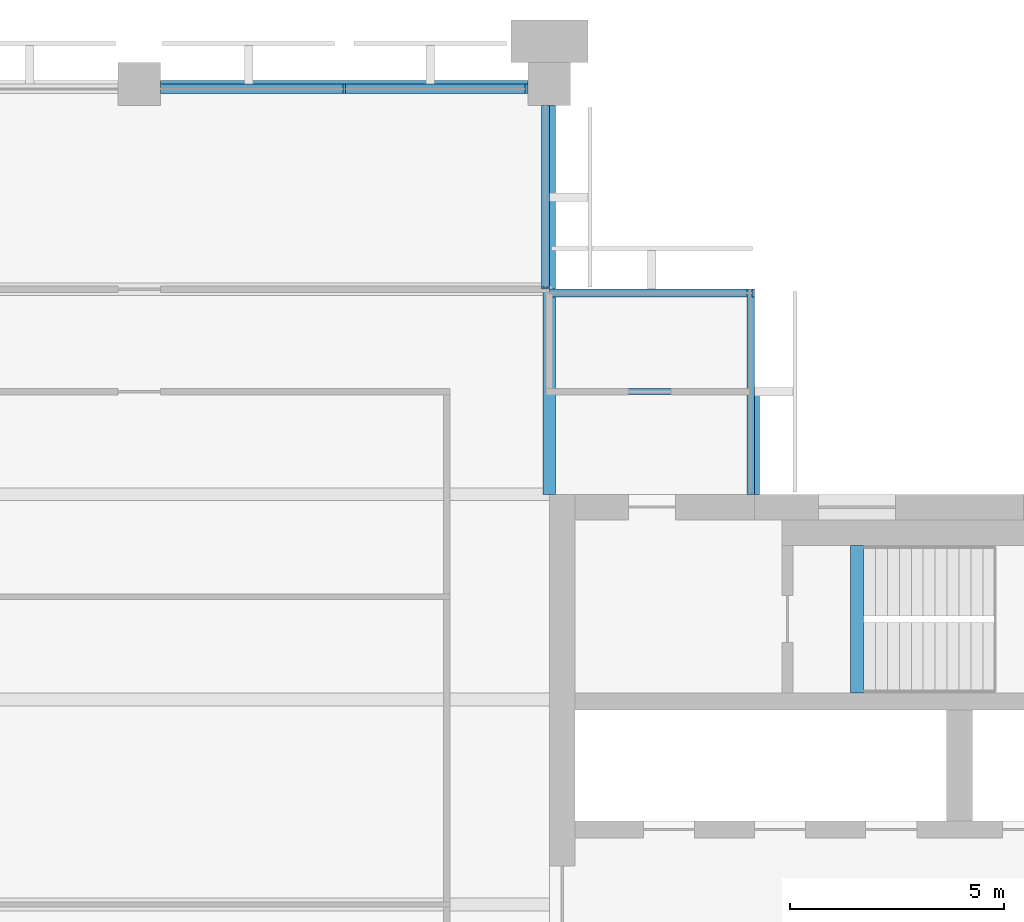
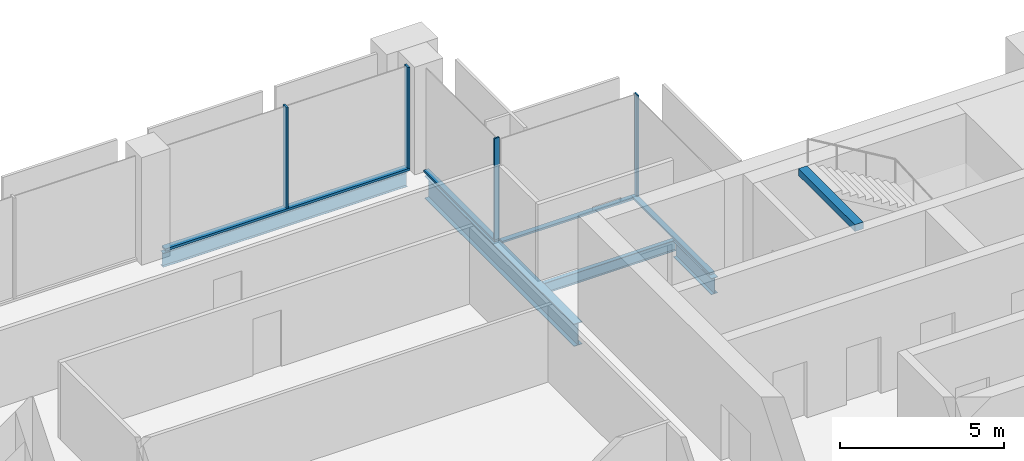
# One storey, part 6 of 12: 8 members, 5 beams, 4 elements without a shape of their own.
"""IFC4 building model written with IfcOpenShell, lengths in metres."""

from ifc_helpers import new_model, si_unit, direction, frame, origin, origin_2d, place, context, subcontext, project, spatial, rectangle, i_section, extrude, material, material_profile, profile_set, type_object, element, aggregate, save


model = new_model("IFC4")

# Units and contexts
model_context = context("Model", 3, precision=1e-05, world=origin(), true_north=direction((0.0, 1.0)))
body_context = subcontext(model_context, "Body", "Model", "MODEL_VIEW")
ifc_project = project(units=[si_unit("LENGTHUNIT", "METRE"), si_unit("AREAUNIT", "SQUARE_METRE"), si_unit("VOLUMEUNIT", "CUBIC_METRE"), si_unit("PLANEANGLEUNIT", "RADIAN"), si_unit("MASSUNIT", "GRAM", prefix="KILO")], contexts=[model_context])

# Site, building, storey
site_placement = place(None, origin())
site = spatial("IfcSite", under=ifc_project, at=site_placement, CompositionType="ELEMENT")
building_placement = place(site_placement, origin())
building = spatial("IfcBuilding", under=site, at=building_placement, Name="Baori Bourse Tower", CompositionType="ELEMENT")
storey_placement = place(building_placement, frame((0.0, 0.0, 322.300048828125)))
storey = spatial("IfcBuildingStorey", under=building, at=storey_placement, Name="L71", CompositionType="ELEMENT", Elevation=322.300048828125)

# Curtain wall, member
ifc_material_1 = material(Name="Pale anodised aluminium", Category="aluminium")
curtain_wall_type_1 = type_object("IfcCurtainWallType", Name="CW2 Curtain wall", PredefinedType="NOTDEFINED", material=ifc_material_1)
curtain_wall_1_placement = place(storey_placement, origin())
curtain_wall_1 = element("IfcCurtainWall", 1, at=curtain_wall_1_placement, inside=storey, type_object=curtain_wall_type_1, Name="Curtain wall CW2 L71 2", PredefinedType="NOTDEFINED")
ifc_material_2 = material(Name="Pale anodised aluminium", Category="aluminium")
ifc_material_profile_1 = material_profile(ifc_material_2, rectangle(XDim=0.179931640625, YDim=0.054931640625, at=origin_2d()), Name="Mullion 55x180")
ifc_profile_set_1 = profile_set([ifc_material_profile_1], Name="Pale anodised aluminium")
member_type_1 = type_object("IfcMemberType", Name="CW2 Curtain wall mullion", PredefinedType="MULLION", material=ifc_profile_set_1)
member_1_placement = place(storey_placement, frame((43.172607421875, 43.110107421875, 0.070068359375), z_axis=(0.0, 0.0, 1.0), x_axis=(0.0, -1.0, 0.0)))
member_1 = element("IfcMember", 2, at=member_1_placement, type_object=member_type_1, Name="Curtain wall CW2 mullion", PredefinedType="MULLION", context=body_context, shape_type="SweptSolid", body=[
    extrude(rectangle(XDim=0.179931640625, YDim=0.054931640625, at=origin_2d()), origin(), (0.0, 0.0, 1.0), 3.769775390625),
])

curtain_wall_2_placement = place(storey_placement, origin())
curtain_wall_2 = element("IfcCurtainWall", 3, at=curtain_wall_2_placement, inside=storey, type_object=curtain_wall_type_1, Name="Curtain wall CW2 L71 3", PredefinedType="NOTDEFINED")
member_2_placement = place(storey_placement, frame((38.31005859375, 43.2275390625, 0.070068359375), z_axis=(0.0, 0.0, 1.0), x_axis=(-1.0, 0.0, 0.0)))
member_2 = element("IfcMember", 4, at=member_2_placement, type_object=member_type_1, Name="Curtain wall CW2 mullion", PredefinedType="MULLION", context=body_context, shape_type="SweptSolid", body=[
    extrude(rectangle(XDim=0.179931640625, YDim=0.054931640625, at=origin_2d()), origin(), (0.0, 0.0, 1.0), 3.769775390625),
])

curtain_wall_3_placement = place(storey_placement, origin())
curtain_wall_3 = element("IfcCurtainWall", 5, at=curtain_wall_3_placement, inside=storey, type_object=curtain_wall_type_1, Name="Curtain wall CW2 L71 1", PredefinedType="NOTDEFINED")
ifc_material_3 = material(Name="Pale anodised aluminium", Category="aluminium")
ifc_material_profile_2 = material_profile(ifc_material_3, rectangle(XDim=0.179931640625, YDim=0.070068359375, at=origin_2d()), Name="Transom 70x180")
ifc_profile_set_2 = profile_set([ifc_material_profile_2], Name="Pale anodised aluminium")
member_type_2 = type_object("IfcMemberType", Name="CW2 Curtain wall transom", PredefinedType="USERDEFINED", material=ifc_profile_set_2)
member_3_placement = place(storey_placement, frame((43.110107421875, 38.39990234375, 0.034912109375), z_axis=(0.0, 1.0, 0.0), x_axis=(-1.0, 0.0, 0.0)))
member_3 = element("IfcMember", 6, at=member_3_placement, type_object=member_type_2, Name="Curtain wall CW2 sill rail", ObjectType="TRANSOM", PredefinedType="USERDEFINED", context=body_context, shape_type="SweptSolid", body=[
    extrude(rectangle(XDim=0.179931640625, YDim=0.070068359375, at=origin_2d()), origin(), (0.0, 0.0, 1.0), 4.800048828125),
])
aggregate(curtain_wall_3, [member_3])

# Member
member_4_placement = place(storey_placement, frame((43.199951171875, 43.110107421875, 0.034912109375), z_axis=(-1.0, 0.0, 0.0), x_axis=(0.0, -1.0, 0.0)))
member_4 = element("IfcMember", 7, at=member_4_placement, type_object=member_type_2, Name="Curtain wall CW2 sill rail", ObjectType="TRANSOM", PredefinedType="USERDEFINED", context=body_context, shape_type="SweptSolid", body=[
    extrude(rectangle(XDim=0.179931640625, YDim=0.070068359375, at=origin_2d()), origin(), (0.0, 0.0, 1.0), 4.800048828125),
])

aggregate(curtain_wall_1, [member_4, member_1])

member_5_placement = place(storey_placement, frame((38.31005859375, 43.199951171875, 0.034912109375), z_axis=(0.0, 1.0, 0.0), x_axis=(-1.0, 0.0, 0.0)))
member_5 = element("IfcMember", 8, at=member_5_placement, type_object=member_type_2, Name="Curtain wall CW2 sill rail", ObjectType="TRANSOM", PredefinedType="USERDEFINED", context=body_context, shape_type="SweptSolid", body=[
    extrude(rectangle(XDim=0.179931640625, YDim=0.070068359375, at=origin_2d()), origin(), (0.0, 0.0, 1.0), 4.300048828125),
])

aggregate(curtain_wall_2, [member_5, member_2])

# Curtain wall, members
ifc_material_4 = material(Name="Pale anodised aluminium", Category="aluminium")
curtain_wall_type_2 = type_object("IfcCurtainWallType", Name="CW5 Curtain wall", PredefinedType="NOTDEFINED", material=ifc_material_4)
curtain_wall_4_placement = place(storey_placement, origin())
curtain_wall_4 = element("IfcCurtainWall", 9, at=curtain_wall_4_placement, inside=storey, type_object=curtain_wall_type_2, Name="Curtain wall CW5 L71 4", PredefinedType="NOTDEFINED")
ifc_material_5 = material(Name="Pale anodised aluminium", Category="aluminium")
ifc_material_profile_3 = material_profile(ifc_material_5, rectangle(XDim=0.219970703125, YDim=0.06494140625, at=origin_2d()), Name="Mullion 65x220")
ifc_profile_set_3 = profile_set([ifc_material_profile_3], Name="Pale anodised aluminium")
member_type_3 = type_object("IfcMemberType", Name="CW5 Curtain wall mullion", PredefinedType="MULLION", material=ifc_profile_set_3)
member_6_placement = place(storey_placement, frame((37.867431640625, 47.889892578125, 0.0849609375), z_axis=(0.0, 0.0, 1.0), x_axis=(0.0, -1.0, 0.0)))
member_6 = element("IfcMember", 10, at=member_6_placement, type_object=member_type_3, Name="Curtain wall CW5 mullion", PredefinedType="MULLION", context=body_context, shape_type="SweptSolid", body=[
    extrude(rectangle(XDim=0.219970703125, YDim=0.06494140625, at=origin_2d()), origin(), (0.0, 0.0, 1.0), 3.7548828125),
])
member_7_placement = place(storey_placement, frame((33.60009765625, 47.889892578125, 0.0849609375), z_axis=(0.0, 0.0, 1.0), x_axis=(0.0, -1.0, 0.0)))
member_7 = element("IfcMember", 11, at=member_7_placement, type_object=member_type_3, Name="Curtain wall CW5 mullion", PredefinedType="MULLION", context=body_context, shape_type="SweptSolid", body=[
    extrude(rectangle(XDim=0.219970703125, YDim=0.06494140625, at=origin_2d()), origin(), (0.0, 0.0, 1.0), 3.7548828125),
])
ifc_material_6 = material(Name="Pale anodised aluminium", Category="aluminium")
ifc_material_profile_4 = material_profile(ifc_material_6, rectangle(XDim=0.219970703125, YDim=0.0849609375, at=origin_2d()), Name="Transom 85x220")
ifc_profile_set_4 = profile_set([ifc_material_profile_4], Name="Pale anodised aluminium")
member_type_4 = type_object("IfcMemberType", Name="CW5 Curtain wall transom", PredefinedType="USERDEFINED", material=ifc_profile_set_4)
member_8_placement = place(storey_placement, frame((37.89990234375, 47.889892578125, 0.04248046875), z_axis=(-1.0, 0.0, 0.0), x_axis=(0.0, -1.0, 0.0)))
member_8 = element("IfcMember", 12, at=member_8_placement, type_object=member_type_4, Name="Curtain wall CW5 sill rail", ObjectType="TRANSOM", PredefinedType="USERDEFINED", context=body_context, shape_type="SweptSolid", body=[
    extrude(rectangle(XDim=0.219970703125, YDim=0.0849609375, at=origin_2d()), origin(), (0.0, 0.0, 1.0), 8.599853515625),
])
aggregate(curtain_wall_4, [member_8, member_6, member_7])

# Beams
ifc_material_7 = material(Name="Steel A992 Gr 50", Category="steel")
ifc_material_profile_5 = material_profile(ifc_material_7, i_section(OverallWidth=0.227783203125, OverallDepth=0.60205078125, WebThickness=0.010498046875, FlangeThickness=0.014892578125, at=origin_2d()), Name="W24x68")
ifc_profile_set_5 = profile_set([ifc_material_profile_5], Name="Steel A992 Gr 50")
beam_type_1 = type_object("IfcBeamType", Name="Core bracket W24x68", PredefinedType="BEAM", material=ifc_profile_set_5)
beam_1_placement = place(storey_placement, frame((43.199951171875, 38.39990234375, -0.4609375), z_axis=(0.0, 1.0, 0.0), x_axis=(-1.0, 0.0, 0.0)))
element("IfcBeam", 13, at=beam_1_placement, inside=storey, type_object=beam_type_1, Name="Core bracket L71", PredefinedType="BEAM", context=body_context, shape_type="SweptSolid", body=[
    extrude(i_section(OverallWidth=0.227783203125, OverallDepth=0.60205078125, WebThickness=0.010498046875, FlangeThickness=0.014892578125, at=origin_2d()), origin(), (0.0, 0.0, 1.0), 2.329833984375),
])
ifc_material_8 = material(Name="Steel A992 Gr 50", Category="steel")
ifc_material_profile_6 = material_profile(ifc_material_8, i_section(OverallWidth=0.1650390625, OverallDepth=0.52587890625, WebThickness=0.0087890625, FlangeThickness=0.011474609375, at=origin_2d()), Name="W21x44")
ifc_profile_set_6 = profile_set([ifc_material_profile_6], Name="Steel A992 Gr 50")
beam_type_2 = type_object("IfcBeamType", Name="Edge beam W21x44", PredefinedType="BEAM", material=ifc_profile_set_6)
beam_2_placement = place(storey_placement, frame((29.300048828125, 48.0, -0.4228515625), z_axis=(1.0, 0.0, 0.0), x_axis=(0.0, 1.0, 0.0)))
element("IfcBeam", 14, at=beam_2_placement, inside=storey, type_object=beam_type_2, Name="Edge beam L71", PredefinedType="BEAM", context=body_context, shape_type="SweptSolid", body=[
    extrude(i_section(OverallWidth=0.1650390625, OverallDepth=0.52587890625, WebThickness=0.0087890625, FlangeThickness=0.011474609375, at=origin_2d()), origin(), (0.0, 0.0, 1.0), 8.599853515625),
])
ifc_material_9 = material(Name="Steel A992 Gr 50", Category="steel")
ifc_material_profile_7 = material_profile(ifc_material_9, i_section(OverallWidth=0.2919921875, OverallDepth=0.835693359375, WebThickness=0.013916015625, FlangeThickness=0.018798828125, at=origin_2d()), Name="W33x118")
ifc_profile_set_7 = profile_set([ifc_material_profile_7], Name="Steel A992 Gr 50")
beam_type_3 = type_object("IfcBeamType", Name="Girder W33x118", PredefinedType="BEAM", material=ifc_profile_set_7)
beam_3_placement = place(storey_placement, frame((38.39990234375, 38.39990234375, -0.577880859375), z_axis=(0.0, 1.0, 0.0), x_axis=(-1.0, 0.0, 0.0)))
element("IfcBeam", 15, at=beam_3_placement, inside=storey, type_object=beam_type_3, Name="Girder L71", PredefinedType="BEAM", context=body_context, shape_type="SweptSolid", body=[
    extrude(i_section(OverallWidth=0.2919921875, OverallDepth=0.835693359375, WebThickness=0.013916015625, FlangeThickness=0.018798828125, at=origin_2d()), origin(), (0.0, 0.0, 1.0), 9.10009765625),
])
ifc_material_10 = material(Name="Concrete f'c 50 MPa", Category="concrete")
ifc_material_profile_8 = material_profile(ifc_material_10, rectangle(XDim=0.300048828125, YDim=0.25, at=origin_2d()), Name="RC 300x250")
ifc_profile_set_8 = profile_set([ifc_material_profile_8], Name="Concrete f'c 50 MPa")
beam_type_4 = type_object("IfcBeamType", Name="Stair nib beam RC 300x250", PredefinedType="BEAM", material=ifc_profile_set_8)
beam_4_placement = place(storey_placement, frame((45.60009765625, 33.75, 3.71484375), z_axis=(0.0, 1.0, 0.0), x_axis=(-1.0, 0.0, 0.0)))
element("IfcBeam", 16, at=beam_4_placement, inside=storey, type_object=beam_type_4, Name="Stair EB nib beam L72", PredefinedType="BEAM", context=body_context, shape_type="SweptSolid", body=[
    extrude(rectangle(XDim=0.300048828125, YDim=0.25, at=origin_2d()), origin(), (0.0, 0.0, 1.0), 3.449951171875),
])
ifc_material_11 = material(Name="Steel A992 Gr 50", Category="steel")
ifc_material_profile_9 = material_profile(ifc_material_11, i_section(OverallWidth=0.140380859375, OverallDepth=0.40380859375, WebThickness=0.007080078125, FlangeThickness=0.01123046875, at=origin_2d()), Name="W16x31")
ifc_profile_set_9 = profile_set([ifc_material_profile_9], Name="Steel A992 Gr 50")
beam_type_5 = type_object("IfcBeamType", Name="Trimmer beam W16x31", PredefinedType="BEAM", material=ifc_profile_set_9)
beam_5_placement = place(storey_placement, frame((38.546142578125, 40.800048828125, -0.362060546875), z_axis=(1.0, 0.0, 0.0), x_axis=(0.0, 1.0, 0.0)))
element("IfcBeam", 17, at=beam_5_placement, inside=storey, type_object=beam_type_5, Name="Trimmer beam L71", PredefinedType="BEAM", context=body_context, shape_type="SweptSolid", body=[
    extrude(i_section(OverallWidth=0.140380859375, OverallDepth=0.40380859375, WebThickness=0.007080078125, FlangeThickness=0.01123046875, at=origin_2d()), origin(), (0.0, 0.0, 1.0), 4.65380859375),
])

save(model, "model.ifc")
